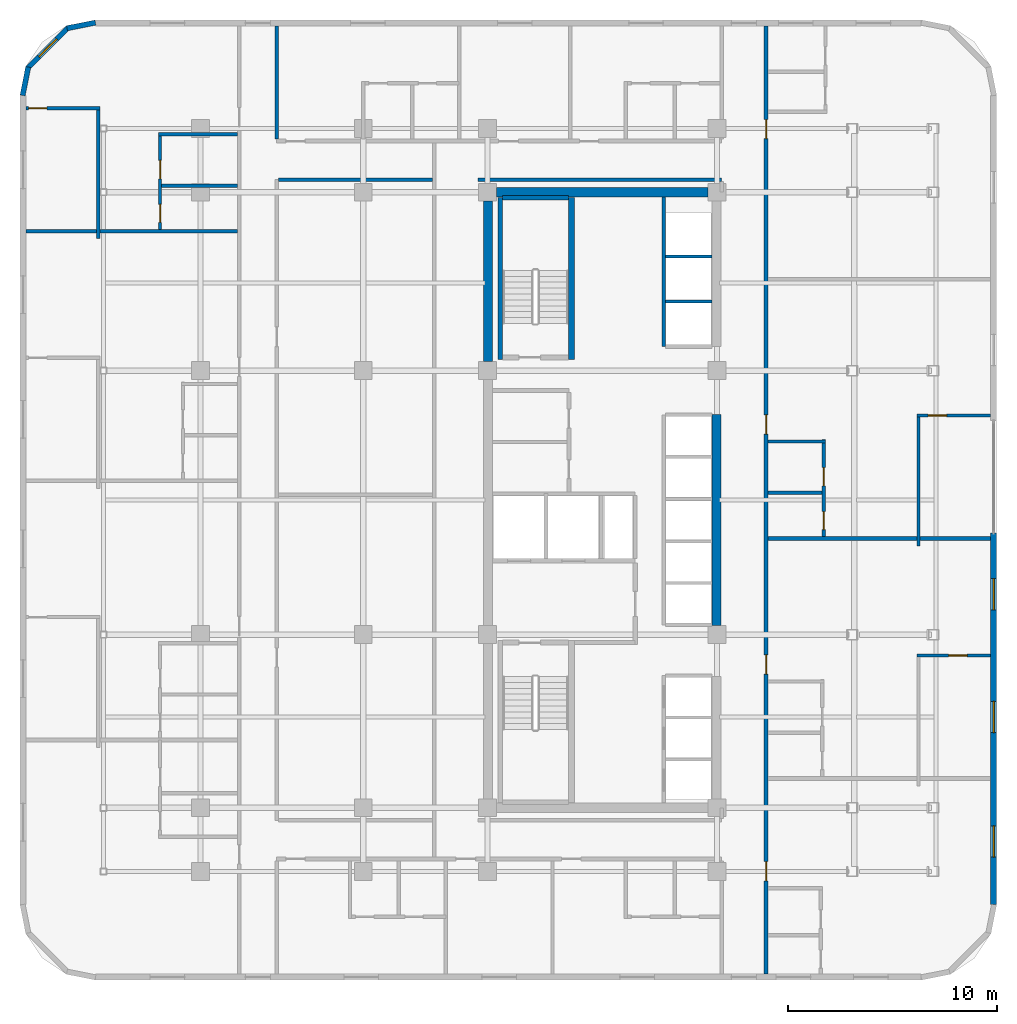
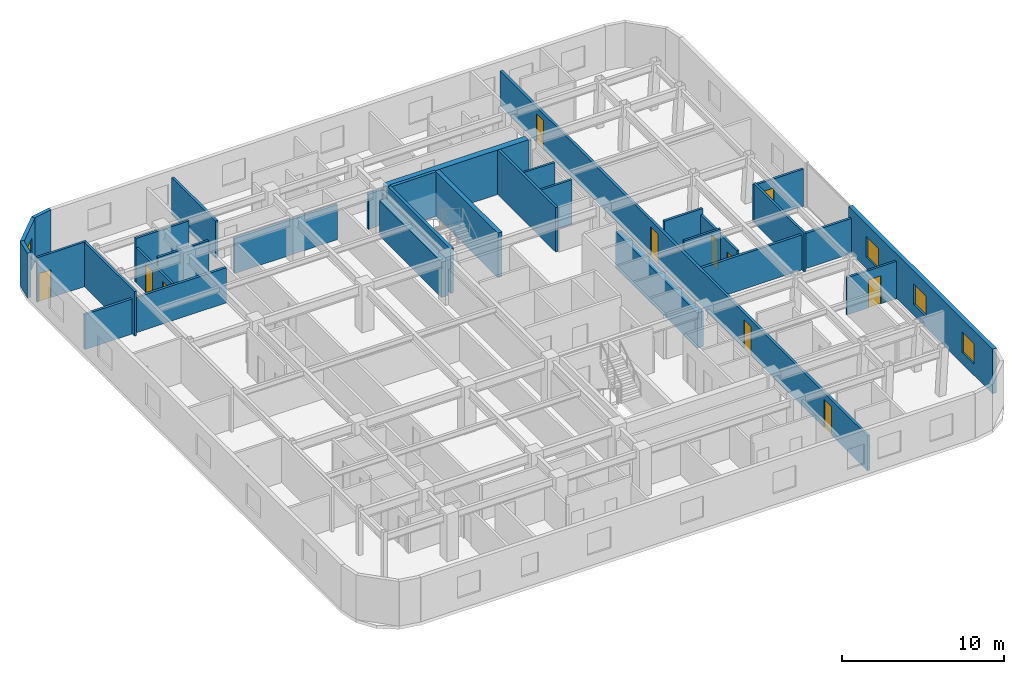
# One storey, part 10 of 13: 30 walls, 11 doors, 4 windows, 15 openings.
"""IFC4 building model written with IfcOpenShell, lengths in metres."""

from ifc_helpers import new_model, si_unit, direction, frame, frame_2d, origin, place, context, subcontext, project, spatial, rectangle, extrude, material, layer, layer_set, type_object, element, fill, save


model = new_model("IFC4")

# Units and contexts
model_context = context("Model", 3, precision=1e-05, world=origin(), true_north=direction((0.0, 1.0)))
body_context = subcontext(model_context, "Body", "Model", "MODEL_VIEW")
ifc_project = project(units=[si_unit("LENGTHUNIT", "METRE"), si_unit("AREAUNIT", "SQUARE_METRE"), si_unit("VOLUMEUNIT", "CUBIC_METRE"), si_unit("PLANEANGLEUNIT", "RADIAN"), si_unit("MASSUNIT", "GRAM", prefix="KILO")], contexts=[model_context])

# Site, building, storey
site_placement = place(None, origin())
site = spatial("IfcSite", under=ifc_project, at=site_placement, CompositionType="ELEMENT")
building_placement = place(site_placement, origin())
building = spatial("IfcBuilding", under=site, at=building_placement, Name="Ochreholt Gables", CompositionType="ELEMENT")
storey_placement = place(building_placement, frame((0.0, 0.0, 49.199951171875)))
storey = spatial("IfcBuildingStorey", under=building, at=storey_placement, Name="L12", CompositionType="ELEMENT", Elevation=49.199951171875)

# Walls
ifc_material_1 = material(Name="Concrete 60 MPa", Category="concrete")
ifc_layer_1 = layer(ifc_material_1, 0.449951171875, Name="Concrete 60 MPa")
ifc_layer_set_1 = layer_set([ifc_layer_1], Name="Concrete 60 MPa")
wall_type_1 = type_object("IfcWallType", Name="WALL-CSW-450", PredefinedType="SHEAR", material=ifc_layer_set_1)
wall_1_placement = place(storey_placement, frame((24.22509765625, 30.625, 0.0), z_axis=(0.0, 0.0, 1.0), x_axis=(0.0, 1.0, 0.0)))
element("IfcWall", 1, at=wall_1_placement, inside=storey, type_object=wall_type_1, Name="L12 Core West Shear Wall WN", PredefinedType="SHEAR", context=body_context, shape_type="SweptSolid", body=[
    extrude(rectangle(XDim=7.699951171875, YDim=0.449951171875, at=frame_2d((3.85009765625, 0.0))), origin(), (0.0, 0.0, 1.0), 2.6669921875),
])
wall_2_placement = place(storey_placement, frame((35.175048828125, 17.97509765625, 0.0), z_axis=(0.0, 0.0, 1.0), x_axis=(0.0, 1.0, 0.0)))
element("IfcWall", 2, at=wall_2_placement, inside=storey, type_object=wall_type_1, Name="L12 Core Central-East Shear Wall", PredefinedType="SHEAR", context=body_context, shape_type="SweptSolid", body=[
    extrude(rectangle(XDim=10.125, YDim=0.449951171875, at=frame_2d((5.0625, 0.0))), origin(), (0.0, 0.0, 1.0), 2.6669921875),
])
wall_3_placement = place(storey_placement, frame((24.625, 38.75, 0.0), z_axis=(0.0, 0.0, 1.0), x_axis=(1.0, 0.0, 0.0)))
element("IfcWall", 3, at=wall_3_placement, inside=storey, type_object=wall_type_1, Name="L12 Core North Shear Wall", PredefinedType="SHEAR", context=body_context, shape_type="SweptSolid", body=[
    extrude(rectangle(XDim=10.14990234375, YDim=0.449951171875, at=frame_2d((5.074951171875, 0.0))), origin(), (0.0, 0.0, 1.0), 3.360107421875),
])

# Wall, openings, windows
ifc_material_2 = material(Name="Precast concrete 40 MPa", Category="concrete")
ifc_layer_2 = layer(ifc_material_2, 0.2900390625, Name="Precast concrete 40 MPa")
ifc_layer_set_2 = layer_set([ifc_layer_2], Name="Precast concrete 40 MPa")
wall_type_2 = type_object("IfcWallType", Name="WALL-EXT-290", PredefinedType="SOLIDWALL", material=ifc_layer_set_2)
wall_4_placement = place(storey_placement, frame((48.455078125, 4.6201171875, 0.0), z_axis=(0.0, 0.0, 1.0), x_axis=(0.0, 1.0, 0.0)))
wall_4 = element("IfcWall", 4, at=wall_4_placement, inside=storey, type_object=wall_type_2, Name="L12 East Facade Wall 1", PredefinedType="SOLIDWALL", context=body_context, shape_type="SweptSolid", body=[
    extrude(rectangle(XDim=17.789794921875, YDim=0.2900390625, at=frame_2d((8.89501953125, 0.0))), origin(), (0.0, 0.0, 1.0), 3.360107421875),
])
opening_1_placement = place(wall_4_placement, frame((2.27001953125, 0.0, 0.85009765625)))
opening_1 = element("IfcOpeningElement", 5, at=opening_1_placement, cuts=wall_4, Name="Opening WN-2", PredefinedType="OPENING", context=body_context, shape_type="SweptSolid", body=[
    extrude(rectangle(XDim=1.5, YDim=1.550048828125, at=frame_2d((0.75, 0.77490234375))), frame((0.0, 0.155029296875, 0.0), z_axis=(0.0, -1.0, 0.0), x_axis=(1.0, 0.0, 0.0)), (0.0, 0.0, 1.0), 0.31005859375),
])
opening_2_placement = place(wall_4_placement, frame((8.235107421875, 0.0, 0.85009765625)))
opening_2 = element("IfcOpeningElement", 6, at=opening_2_placement, cuts=wall_4, Name="Opening WN-2", PredefinedType="OPENING", context=body_context, shape_type="SweptSolid", body=[
    extrude(rectangle(XDim=1.5, YDim=1.550048828125, at=frame_2d((0.75, 0.77490234375))), frame((0.0, 0.155029296875, 0.0), z_axis=(0.0, -1.0, 0.0), x_axis=(1.0, 0.0, 0.0)), (0.0, 0.0, 1.0), 0.31005859375),
])
opening_3_placement = place(wall_4_placement, frame((14.110107421875, 0.0, 0.85009765625)))
opening_3 = element("IfcOpeningElement", 7, at=opening_3_placement, cuts=wall_4, Name="Opening WN-2", PredefinedType="OPENING", context=body_context, shape_type="SweptSolid", body=[
    extrude(rectangle(XDim=1.5, YDim=1.550048828125, at=frame_2d((0.75, 0.77490234375))), frame((0.0, 0.155029296875, 0.0), z_axis=(0.0, -1.0, 0.0), x_axis=(1.0, 0.0, 0.0)), (0.0, 0.0, 1.0), 0.31005859375),
])
ifc_material_3 = material(Name="Triple-Glazed Thermally Broken Aluminium Window", Category="aluminium")
window_type_1 = type_object("IfcWindowType", Name="WIN-RES-1500", PartitioningType="SINGLE_PANEL", PredefinedType="WINDOW", material=ifc_material_3)
window_1_placement = place(opening_1_placement, origin())
window_1 = element("IfcWindow", 8, at=window_1_placement, inside=storey, type_object=window_type_1, Name="L12 Window W-EXT-E1-L12-1", OverallHeight=1.550048828125, OverallWidth=1.5, PartitioningType="SINGLE_PANEL", PredefinedType="WINDOW", context=body_context, shape_type="SweptSolid", body=[
    extrude(rectangle(XDim=1.5, YDim=1.550048828125, at=frame_2d((0.75, 0.77490234375))), frame((0.0, 0.030029296875, 0.0), z_axis=(0.0, -1.0, 0.0), x_axis=(1.0, 0.0, 0.0)), (0.0, 0.0, 1.0), 0.06005859375),
])
fill(opening_1, window_1)
window_2_placement = place(opening_2_placement, origin())
window_2 = element("IfcWindow", 9, at=window_2_placement, inside=storey, type_object=window_type_1, Name="L12 Window W-EXT-E1-L12-2", OverallHeight=1.550048828125, OverallWidth=1.5, PartitioningType="SINGLE_PANEL", PredefinedType="WINDOW", context=body_context, shape_type="SweptSolid", body=[
    extrude(rectangle(XDim=1.5, YDim=1.550048828125, at=frame_2d((0.75, 0.77490234375))), frame((0.0, 0.030029296875, 0.0), z_axis=(0.0, -1.0, 0.0), x_axis=(1.0, 0.0, 0.0)), (0.0, 0.0, 1.0), 0.06005859375),
])
fill(opening_2, window_2)
window_3_placement = place(opening_3_placement, origin())
window_3 = element("IfcWindow", 10, at=window_3_placement, inside=storey, type_object=window_type_1, Name="L12 Window W-EXT-E1-L12-3", OverallHeight=1.550048828125, OverallWidth=1.5, PartitioningType="SINGLE_PANEL", PredefinedType="WINDOW", context=body_context, shape_type="SweptSolid", body=[
    extrude(rectangle(XDim=1.5, YDim=1.550048828125, at=frame_2d((0.75, 0.77490234375))), frame((0.0, 0.030029296875, 0.0), z_axis=(0.0, -1.0, 0.0), x_axis=(1.0, 0.0, 0.0)), (0.0, 0.0, 1.0), 0.06005859375),
])
fill(opening_3, window_3)

# Wall
ifc_layer_3 = layer(ifc_material_2, 0.25, Name="Precast concrete 40 MPa")
ifc_layer_set_3 = layer_set([ifc_layer_3], Name="Precast concrete 40 MPa")
wall_type_3 = type_object("IfcWallType", Name="WALL-EXT-CNR", PredefinedType="SOLIDWALL", material=ifc_layer_set_3)
wall_5_placement = place(storey_placement, frame((5.41650390625, 46.875732421875, 0.0), z_axis=(0.0, 0.0, 1.0), x_axis=(-0.980809899341, -0.19496651342, 0.0)))
element("IfcWall", 11, at=wall_5_placement, inside=storey, type_object=wall_type_3, Name="L12 Rounded Corner Wall NW-1", PredefinedType="SOLIDWALL", context=body_context, shape_type="SweptSolid", body=[
    extrude(rectangle(XDim=1.388671875, YDim=0.25, at=frame_2d((0.6943359375, 0.0))), origin(), (0.0, 0.0, 1.0), 3.360107421875),
])

# Wall, opening, window
wall_6_placement = place(storey_placement, frame((4.10498046875, 46.632080078125, 0.0), z_axis=(0.0, 0.0, 1.0), x_axis=(-0.707106781187, -0.707106781187, 0.0)))
wall_6 = element("IfcWall", 12, at=wall_6_placement, inside=storey, type_object=wall_type_3, Name="L12 Rounded Corner Wall NW-2", PredefinedType="SOLIDWALL", context=body_context, shape_type="SweptSolid", body=[
    extrude(rectangle(XDim=2.7392578125, YDim=0.25, at=frame_2d((1.36962890625, 0.0))), origin(), (0.0, 0.0, 1.0), 3.360107421875),
])
opening_4_placement = place(wall_6_placement, frame((0.769775390625, 0.0, 0.85009765625)))
opening_4 = element("IfcOpeningElement", 13, at=opening_4_placement, cuts=wall_6, Name="Opening WN-3", PredefinedType="OPENING", context=body_context, shape_type="SweptSolid", body=[
    extrude(rectangle(XDim=1.199951171875, YDim=1.5, at=frame_2d((0.60009765625, 0.75))), frame((0.0, 0.135009765625, 0.0), z_axis=(0.0, -1.0, 0.0), x_axis=(1.0, 0.0, 0.0)), (0.0, 0.0, 1.0), 0.27001953125),
])
window_type_2 = type_object("IfcWindowType", Name="WIN-RES-1200", PartitioningType="SINGLE_PANEL", PredefinedType="WINDOW", material=ifc_material_3)
window_4_placement = place(opening_4_placement, origin())
window_4 = element("IfcWindow", 14, at=window_4_placement, inside=storey, type_object=window_type_2, Name="L12 Corner Bedroom Window NW", OverallHeight=1.5, OverallWidth=1.199951171875, PartitioningType="SINGLE_PANEL", PredefinedType="WINDOW", context=body_context, shape_type="SweptSolid", body=[
    extrude(rectangle(XDim=1.199951171875, YDim=1.5, at=frame_2d((0.60009765625, 0.75))), frame((0.0, 0.030029296875, 0.0), z_axis=(0.0, -1.0, 0.0), x_axis=(1.0, 0.0, 0.0)), (0.0, 0.0, 1.0), 0.06005859375),
])
fill(opening_4, window_4)

# Wall
wall_7_placement = place(storey_placement, frame((2.195068359375, 44.74560546875, 0.0), z_axis=(0.0, 0.0, 1.0), x_axis=(-0.19496651342, -0.980809899341, 0.0)))
element("IfcWall", 15, at=wall_7_placement, inside=storey, type_object=wall_type_3, Name="L12 Rounded Corner Wall NW-3", PredefinedType="SOLIDWALL", context=body_context, shape_type="SweptSolid", body=[
    extrude(rectangle(XDim=1.388671875, YDim=0.25, at=frame_2d((0.6943359375, 0.0))), origin(), (0.0, 0.0, 1.0), 3.360107421875),
])

# Wall, openings, doors
ifc_material_4 = material(Name="Fire-Rated Gypsum Acoustic Partition", Category="gypsum")
ifc_layer_4 = layer(ifc_material_4, 0.179931640625, Name="Fire-Rated Gypsum Acoustic Partition")
ifc_layer_set_4 = layer_set([ifc_layer_4], Name="Fire-Rated Gypsum Acoustic Partition")
wall_type_4 = type_object("IfcWallType", Name="WALL-INT-CR180", PredefinedType="STANDARD", material=ifc_layer_set_4)
wall_8_placement = place(storey_placement, frame((37.550048828125, 1.2900390625, 0.0), z_axis=(0.0, 0.0, 1.0), x_axis=(0.0, 1.0, 0.0)))
wall_8 = element("IfcWall", 16, at=wall_8_placement, inside=storey, type_object=wall_type_4, Name="L12 Interior Wall WI-C1E-L12", PredefinedType="STANDARD", context=body_context, shape_type="SweptSolid", body=[
    extrude(rectangle(XDim=45.419921875, YDim=0.179931640625, at=frame_2d((22.7099609375, 0.0))), origin(), (0.0, 0.0, 1.0), 2.649169921875),
])
opening_5_placement = place(wall_8_placement, frame((4.4599609375, 0.0, 0.0)))
opening_5 = element("IfcOpeningElement", 17, at=opening_5_placement, cuts=wall_8, Name="Opening D-UN1", PredefinedType="OPENING", context=body_context, shape_type="SweptSolid", body=[
    extrude(rectangle(XDim=0.919921875, YDim=2.14990234375, at=frame_2d((0.4599609375, 1.074951171875))), frame((0.0, 0.099853515625, 0.0), z_axis=(0.0, -1.0, 0.0), x_axis=(1.0, 0.0, 0.0)), (0.0, 0.0, 1.0), 0.199951171875),
])
opening_6_placement = place(wall_8_placement, frame((14.3701171875, 0.0, 0.0)))
opening_6 = element("IfcOpeningElement", 18, at=opening_6_placement, cuts=wall_8, Name="Opening D-UN1", PredefinedType="OPENING", context=body_context, shape_type="SweptSolid", body=[
    extrude(rectangle(XDim=0.919921875, YDim=2.14990234375, at=frame_2d((0.4599609375, 1.074951171875))), frame((0.0, 0.099853515625, 0.0), z_axis=(0.0, -1.0, 0.0), x_axis=(1.0, 0.0, 0.0)), (0.0, 0.0, 1.0), 0.199951171875),
])
opening_7_placement = place(wall_8_placement, frame((25.8701171875, 0.0, 0.0)))
opening_7 = element("IfcOpeningElement", 19, at=opening_7_placement, cuts=wall_8, Name="Opening D-UN1", PredefinedType="OPENING", context=body_context, shape_type="SweptSolid", body=[
    extrude(rectangle(XDim=0.919921875, YDim=2.14990234375, at=frame_2d((0.4599609375, 1.074951171875))), frame((0.0, 0.099853515625, 0.0), z_axis=(0.0, -1.0, 0.0), x_axis=(1.0, 0.0, 0.0)), (0.0, 0.0, 1.0), 0.199951171875),
])
opening_8_placement = place(wall_8_placement, frame((40.02001953125, 0.0, 0.0)))
opening_8 = element("IfcOpeningElement", 20, at=opening_8_placement, cuts=wall_8, Name="Opening D-UN1", PredefinedType="OPENING", context=body_context, shape_type="SweptSolid", body=[
    extrude(rectangle(XDim=0.919921875, YDim=2.14990234375, at=frame_2d((0.4599609375, 1.074951171875))), frame((0.0, 0.099853515625, 0.0), z_axis=(0.0, -1.0, 0.0), x_axis=(1.0, 0.0, 0.0)), (0.0, 0.0, 1.0), 0.199951171875),
])
ifc_material_5 = material(Name="Engineered Oak Timber", Category="wood")
door_type_1 = type_object("IfcDoorType", Name="DR-INT-UNT920", OperationType="NOTDEFINED", PredefinedType="DOOR", material=ifc_material_5)
door_1_placement = place(opening_5_placement, origin())
door_1 = element("IfcDoor", 21, at=door_1_placement, inside=storey, type_object=door_type_1, Name="L12 Door D-U-L12E1-ENT", OperationType="SINGLE_SWING_RIGHT", OverallHeight=2.14990234375, OverallWidth=0.919921875, PredefinedType="DOOR", context=body_context, shape_type="SweptSolid", body=[
    extrude(rectangle(XDim=0.919921875, YDim=2.14990234375, at=frame_2d((0.4599609375, 1.074951171875))), frame((0.0, 0.02490234375, 0.0), z_axis=(0.0, -1.0, 0.0), x_axis=(1.0, 0.0, 0.0)), (0.0, 0.0, 1.0), 0.050048828125),
])
fill(opening_5, door_1)
door_2_placement = place(opening_6_placement, origin())
door_2 = element("IfcDoor", 22, at=door_2_placement, inside=storey, type_object=door_type_1, Name="L12 Door D-U-L12E2-ENT", OperationType="SINGLE_SWING_LEFT", OverallHeight=2.14990234375, OverallWidth=0.919921875, PredefinedType="DOOR", context=body_context, shape_type="SweptSolid", body=[
    extrude(rectangle(XDim=0.919921875, YDim=2.14990234375, at=frame_2d((0.4599609375, 1.074951171875))), frame((0.0, 0.02490234375, 0.0), z_axis=(0.0, -1.0, 0.0), x_axis=(1.0, 0.0, 0.0)), (0.0, 0.0, 1.0), 0.050048828125),
])
fill(opening_6, door_2)
door_3_placement = place(opening_7_placement, origin())
door_3 = element("IfcDoor", 23, at=door_3_placement, inside=storey, type_object=door_type_1, Name="L12 Door D-U-L12E3-ENT", OperationType="SINGLE_SWING_RIGHT", OverallHeight=2.14990234375, OverallWidth=0.919921875, PredefinedType="DOOR", context=body_context, shape_type="SweptSolid", body=[
    extrude(rectangle(XDim=0.919921875, YDim=2.14990234375, at=frame_2d((0.4599609375, 1.074951171875))), frame((0.0, 0.02490234375, 0.0), z_axis=(0.0, -1.0, 0.0), x_axis=(1.0, 0.0, 0.0)), (0.0, 0.0, 1.0), 0.050048828125),
])
fill(opening_7, door_3)
door_4_placement = place(opening_8_placement, origin())
door_4 = element("IfcDoor", 24, at=door_4_placement, inside=storey, type_object=door_type_1, Name="L12 Door D-U-L12E4-ENT", OperationType="SINGLE_SWING_LEFT", OverallHeight=2.14990234375, OverallWidth=0.919921875, PredefinedType="DOOR", context=body_context, shape_type="SweptSolid", body=[
    extrude(rectangle(XDim=0.919921875, YDim=2.14990234375, at=frame_2d((0.4599609375, 1.074951171875))), frame((0.0, 0.02490234375, 0.0), z_axis=(0.0, -1.0, 0.0), x_axis=(1.0, 0.0, 0.0)), (0.0, 0.0, 1.0), 0.050048828125),
])
fill(opening_8, door_4)

# Walls
wall_9_placement = place(storey_placement, frame((23.75, 39.35009765625, 0.0), z_axis=(0.0, 0.0, 1.0), x_axis=(1.0, 0.0, 0.0)))
element("IfcWall", 25, at=wall_9_placement, inside=storey, type_object=wall_type_4, Name="L12 Interior Wall WI-C1N2-L12", PredefinedType="STANDARD", context=body_context, shape_type="SweptSolid", body=[
    extrude(rectangle(XDim=11.669921875, YDim=0.179931640625, at=frame_2d((5.8349609375, 0.0))), origin(), (0.0, 0.0, 1.0), 2.649169921875),
])
wall_10_placement = place(storey_placement, frame((14.18994140625, 39.35009765625, 0.0), z_axis=(0.0, 0.0, 1.0), x_axis=(1.0, 0.0, 0.0)))
element("IfcWall", 26, at=wall_10_placement, inside=storey, type_object=wall_type_4, Name="L12 Interior Wall WI-C1N2W-L12", PredefinedType="STANDARD", context=body_context, shape_type="SweptSolid", body=[
    extrude(rectangle(XDim=7.3701171875, YDim=0.179931640625, at=frame_2d((3.68505859375, 0.0))), origin(), (0.0, 0.0, 1.0), 2.649169921875),
])
ifc_material_6 = material(Name="Double-Stud Acoustic Demising Wall", Category="gypsum")
ifc_layer_5 = layer(ifc_material_6, 0.179931640625, Name="Double-Stud Acoustic Demising Wall")
ifc_layer_set_5 = layer_set([ifc_layer_5], Name="Double-Stud Acoustic Demising Wall")
wall_type_5 = type_object("IfcWallType", Name="WALL-INT-DM180", PredefinedType="PARTITIONING", material=ifc_layer_set_5)
wall_11_placement = place(storey_placement, frame((14.10009765625, 41.2900390625, 0.0), z_axis=(0.0, 0.0, 1.0), x_axis=(0.0, 1.0, 0.0)))
element("IfcWall", 27, at=wall_11_placement, inside=storey, type_object=wall_type_5, Name="L12 Interior Wall WI-C1WNI-L12", PredefinedType="PARTITIONING", context=body_context, shape_type="SweptSolid", body=[
    extrude(rectangle(XDim=5.419921875, YDim=0.179931640625, at=frame_2d((2.7099609375, 0.0))), origin(), (0.0, 0.0, 1.0), 2.80908203125),
])
wall_12_placement = place(storey_placement, frame((37.639892578125, 22.159912109375, 0.0), z_axis=(0.0, 0.0, 1.0), x_axis=(1.0, 0.0, 0.0)))
element("IfcWall", 28, at=wall_12_placement, inside=storey, type_object=wall_type_5, Name="L12 Interior Wall WI-UDE3-L12", PredefinedType="PARTITIONING", context=body_context, shape_type="SweptSolid", body=[
    extrude(rectangle(XDim=10.670166015625, YDim=0.179931640625, at=frame_2d((5.3349609375, 0.0))), origin(), (0.0, 0.0, 1.0), 2.649169921875),
])
wall_13_placement = place(storey_placement, frame((2.090087890625, 36.8798828125, 0.0), z_axis=(0.0, 0.0, 1.0), x_axis=(1.0, 0.0, 0.0)))
element("IfcWall", 29, at=wall_13_placement, inside=storey, type_object=wall_type_5, Name="L12 Interior Wall WI-UDW4-L12", PredefinedType="PARTITIONING", context=body_context, shape_type="SweptSolid", body=[
    extrude(rectangle(XDim=10.119873046875, YDim=0.179931640625, at=frame_2d((5.06005859375, 0.0))), origin(), (0.0, 0.0, 1.0), 2.649169921875),
])
ifc_material_7 = material(Name="Moisture-Resistant Plumbing Chase Wall", Category="gypsum")
ifc_layer_6 = layer(ifc_material_7, 0.159912109375, Name="Moisture-Resistant Plumbing Chase Wall")
ifc_layer_set_6 = layer_set([ifc_layer_6], Name="Moisture-Resistant Plumbing Chase Wall")
wall_type_6 = type_object("IfcWallType", Name="WALL-INT-PL160", PredefinedType="PLUMBINGWALL", material=ifc_layer_set_6)
wall_14_placement = place(storey_placement, frame((37.639892578125, 26.800048828125, 0.0), z_axis=(0.0, 0.0, 1.0), x_axis=(1.0, 0.0, 0.0)))
element("IfcWall", 30, at=wall_14_placement, inside=storey, type_object=wall_type_6, Name="L12 Interior Wall WU-L12E3-WYN", PredefinedType="PLUMBINGWALL", context=body_context, shape_type="SweptSolid", body=[
    extrude(rectangle(XDim=2.758056640625, YDim=0.159912109375, at=frame_2d((1.37890625, 0.0))), origin(), (0.0, 0.0, 1.0), 3.360107421875),
])

# Wall, openings, doors
wall_15_placement = place(storey_placement, frame((40.318115234375, 22.25, 0.0), z_axis=(0.0, 0.0, 1.0), x_axis=(0.0, 1.0, 0.0)))
wall_15 = element("IfcWall", 31, at=wall_15_placement, inside=storey, type_object=wall_type_6, Name="L12 Interior Wall WU-L12E3-WX", PredefinedType="PLUMBINGWALL", context=body_context, shape_type="SweptSolid", body=[
    extrude(rectangle(XDim=4.639892578125, YDim=0.159912109375, at=frame_2d((2.31982421875, 0.0))), origin(), (0.0, 0.0, 1.0), 2.93212890625),
])
opening_9_placement = place(wall_15_placement, frame((0.330078125, 0.0, 0.0)))
opening_9 = element("IfcOpeningElement", 32, at=opening_9_placement, cuts=wall_15, Name="Opening D-BT1", PredefinedType="OPENING", context=body_context, shape_type="SweptSolid", body=[
    extrude(rectangle(XDim=0.860107421875, YDim=2.1201171875, at=frame_2d((0.43017578125, 1.06005859375))), frame((0.0, 0.08984375, 0.0), z_axis=(0.0, -1.0, 0.0), x_axis=(1.0, 0.0, 0.0)), (0.0, 0.0, 1.0), 0.179931640625),
])
opening_10_placement = place(wall_15_placement, frame((2.423095703125, 0.0, 0.0)))
opening_10 = element("IfcOpeningElement", 33, at=opening_10_placement, cuts=wall_15, Name="Opening D-GN2", PredefinedType="OPENING", context=body_context, shape_type="SweptSolid", body=[
    extrude(rectangle(XDim=0.8798828125, YDim=2.1201171875, at=frame_2d((0.43994140625, 1.06005859375))), frame((0.0, 0.08984375, 0.0), z_axis=(0.0, -1.0, 0.0), x_axis=(1.0, 0.0, 0.0)), (0.0, 0.0, 1.0), 0.179931640625),
])
door_type_2 = type_object("IfcDoorType", Name="DR-INT-BTH860", OperationType="NOTDEFINED", PredefinedType="DOOR", material=ifc_material_5)
door_5_placement = place(opening_9_placement, origin())
door_5 = element("IfcDoor", 34, at=door_5_placement, inside=storey, type_object=door_type_2, Name="L12 Door D-U-L12E3-BTH", OperationType="SINGLE_SWING_LEFT", OverallHeight=2.1201171875, OverallWidth=0.860107421875, PredefinedType="DOOR", context=body_context, shape_type="SweptSolid", body=[
    extrude(rectangle(XDim=0.860107421875, YDim=2.1201171875, at=frame_2d((0.43017578125, 1.06005859375))), frame((0.0, 0.02490234375, 0.0), z_axis=(0.0, -1.0, 0.0), x_axis=(1.0, 0.0, 0.0)), (0.0, 0.0, 1.0), 0.050048828125),
])
fill(opening_9, door_5)
door_type_3 = type_object("IfcDoorType", Name="DR-INT-GEN880", OperationType="NOTDEFINED", PredefinedType="DOOR", material=ifc_material_5)
door_6_placement = place(opening_10_placement, origin())
door_6 = element("IfcDoor", 35, at=door_6_placement, inside=storey, type_object=door_type_3, Name="L12 Door D-U-L12E3-KIT", OperationType="SINGLE_SWING_RIGHT", OverallHeight=2.1201171875, OverallWidth=0.8798828125, PredefinedType="DOOR", context=body_context, shape_type="SweptSolid", body=[
    extrude(rectangle(XDim=0.8798828125, YDim=2.1201171875, at=frame_2d((0.43994140625, 1.06005859375))), frame((0.0, 0.02490234375, 0.0), z_axis=(0.0, -1.0, 0.0), x_axis=(1.0, 0.0, 0.0)), (0.0, 0.0, 1.0), 0.050048828125),
])
fill(opening_10, door_6)

# Walls
wall_16_placement = place(storey_placement, frame((37.639892578125, 24.343017578125, 0.0), z_axis=(0.0, 0.0, 1.0), x_axis=(1.0, 0.0, 0.0)))
element("IfcWall", 36, at=wall_16_placement, inside=storey, type_object=wall_type_6, Name="L12 Interior Wall WU-L12E3-WM", PredefinedType="PLUMBINGWALL", context=body_context, shape_type="SweptSolid", body=[
    extrude(rectangle(XDim=2.59814453125, YDim=0.159912109375, at=frame_2d((1.299072265625, 0.0))), origin(), (0.0, 0.0, 1.0), 3.360107421875),
])
wall_17_placement = place(storey_placement, frame((8.429931640625, 41.52001953125, 0.0), z_axis=(0.0, 0.0, 1.0), x_axis=(1.0, 0.0, 0.0)))
element("IfcWall", 37, at=wall_17_placement, inside=storey, type_object=wall_type_6, Name="L12 Interior Wall WU-L12W4-WYN", PredefinedType="PLUMBINGWALL", context=body_context, shape_type="SweptSolid", body=[
    extrude(rectangle(XDim=3.780029296875, YDim=0.159912109375, at=frame_2d((1.89013671875, 0.0))), origin(), (0.0, 0.0, 1.0), 3.360107421875),
])

# Wall, openings, doors
wall_18_placement = place(storey_placement, frame((8.510009765625, 36.969970703125, 0.0), z_axis=(0.0, 0.0, 1.0), x_axis=(0.0, 1.0, 0.0)))
wall_18 = element("IfcWall", 38, at=wall_18_placement, inside=storey, type_object=wall_type_6, Name="L12 Interior Wall WU-L12W4-WX", PredefinedType="PLUMBINGWALL", context=body_context, shape_type="SweptSolid", body=[
    extrude(rectangle(XDim=4.64013671875, YDim=0.159912109375, at=frame_2d((2.320068359375, 0.0))), origin(), (0.0, 0.0, 1.0), 2.649169921875),
])
opening_11_placement = place(wall_18_placement, frame((0.330078125, 0.0, 0.0)))
opening_11 = element("IfcOpeningElement", 39, at=opening_11_placement, cuts=wall_18, Name="Opening D-BT1", PredefinedType="OPENING", context=body_context, shape_type="SweptSolid", body=[
    extrude(rectangle(XDim=0.860107421875, YDim=2.1201171875, at=frame_2d((0.43017578125, 1.06005859375))), frame((0.0, 0.08984375, 0.0), z_axis=(0.0, -1.0, 0.0), x_axis=(1.0, 0.0, 0.0)), (0.0, 0.0, 1.0), 0.179931640625),
])
opening_12_placement = place(wall_18_placement, frame((2.423095703125, 0.0, 0.0)))
opening_12 = element("IfcOpeningElement", 40, at=opening_12_placement, cuts=wall_18, Name="Opening D-GN2", PredefinedType="OPENING", context=body_context, shape_type="SweptSolid", body=[
    extrude(rectangle(XDim=0.8798828125, YDim=2.1201171875, at=frame_2d((0.43994140625, 1.06005859375))), frame((0.0, 0.08984375, 0.0), z_axis=(0.0, -1.0, 0.0), x_axis=(1.0, 0.0, 0.0)), (0.0, 0.0, 1.0), 0.179931640625),
])
door_7_placement = place(opening_11_placement, origin())
door_7 = element("IfcDoor", 41, at=door_7_placement, inside=storey, type_object=door_type_2, Name="L12 Door D-U-L12W4-BTH", OperationType="SINGLE_SWING_RIGHT", OverallHeight=2.1201171875, OverallWidth=0.860107421875, PredefinedType="DOOR", context=body_context, shape_type="SweptSolid", body=[
    extrude(rectangle(XDim=0.860107421875, YDim=2.1201171875, at=frame_2d((0.43017578125, 1.06005859375))), frame((0.0, 0.02490234375, 0.0), z_axis=(0.0, -1.0, 0.0), x_axis=(1.0, 0.0, 0.0)), (0.0, 0.0, 1.0), 0.050048828125),
])
fill(opening_11, door_7)
door_8_placement = place(opening_12_placement, origin())
door_8 = element("IfcDoor", 42, at=door_8_placement, inside=storey, type_object=door_type_3, Name="L12 Door D-U-L12W4-KIT", OperationType="SINGLE_SWING_LEFT", OverallHeight=2.1201171875, OverallWidth=0.8798828125, PredefinedType="DOOR", context=body_context, shape_type="SweptSolid", body=[
    extrude(rectangle(XDim=0.8798828125, YDim=2.1201171875, at=frame_2d((0.43994140625, 1.06005859375))), frame((0.0, 0.02490234375, 0.0), z_axis=(0.0, -1.0, 0.0), x_axis=(1.0, 0.0, 0.0)), (0.0, 0.0, 1.0), 0.050048828125),
])
fill(opening_12, door_8)

# Wall
wall_19_placement = place(storey_placement, frame((8.590087890625, 39.06298828125, 0.0), z_axis=(0.0, 0.0, 1.0), x_axis=(1.0, 0.0, 0.0)))
element("IfcWall", 43, at=wall_19_placement, inside=storey, type_object=wall_type_6, Name="L12 Interior Wall WU-L12W4-WM", PredefinedType="PLUMBINGWALL", context=body_context, shape_type="SweptSolid", body=[
    extrude(rectangle(XDim=3.619873046875, YDim=0.159912109375, at=frame_2d((1.81005859375, 0.0))), origin(), (0.0, 0.0, 1.0), 3.360107421875),
])

# Wall, opening, door
ifc_material_8 = material(Name="Gypsum Acoustic Stud Partition", Category="gypsum")
ifc_layer_7 = layer(ifc_material_8, 0.159912109375, Name="Gypsum Acoustic Stud Partition")
ifc_layer_set_7 = layer_set([ifc_layer_7], Name="Gypsum Acoustic Stud Partition")
wall_type_7 = type_object("IfcWallType", Name="WALL-INT-PT160", PredefinedType="PARTITIONING", material=ifc_layer_set_7)
wall_20_placement = place(storey_placement, frame((44.77001953125, 16.550048828125, 0.0), z_axis=(0.0, 0.0, 1.0), x_axis=(1.0, 0.0, 0.0)))
wall_20 = element("IfcWall", 44, at=wall_20_placement, inside=storey, type_object=wall_type_7, Name="L12 Interior Wall WU-L12E2-STN", PredefinedType="PARTITIONING", context=body_context, shape_type="SweptSolid", body=[
    extrude(rectangle(XDim=3.5400390625, YDim=0.159912109375, at=frame_2d((1.77001953125, 0.0))), origin(), (0.0, 0.0, 1.0), 2.80908203125),
])
opening_13_placement = place(wall_20_placement, frame((1.530029296875, 0.0, 0.0)))
opening_13 = element("IfcOpeningElement", 45, at=opening_13_placement, cuts=wall_20, Name="Opening D-GN2", PredefinedType="OPENING", context=body_context, shape_type="SweptSolid", body=[
    extrude(rectangle(XDim=0.8798828125, YDim=2.1201171875, at=frame_2d((0.43994140625, 1.06005859375))), frame((0.0, 0.08984375, 0.0), z_axis=(0.0, -1.0, 0.0), x_axis=(1.0, 0.0, 0.0)), (0.0, 0.0, 1.0), 0.179931640625),
])
door_9_placement = place(opening_13_placement, origin())
door_9 = element("IfcDoor", 46, at=door_9_placement, inside=storey, type_object=door_type_3, Name="L12 Door D-U-L12E2-STD", OperationType="SINGLE_SWING_RIGHT", OverallHeight=2.1201171875, OverallWidth=0.8798828125, PredefinedType="DOOR", context=body_context, shape_type="SweptSolid", body=[
    extrude(rectangle(XDim=0.8798828125, YDim=2.1201171875, at=frame_2d((0.43994140625, 1.06005859375))), frame((0.0, 0.02490234375, 0.0), z_axis=(0.0, -1.0, 0.0), x_axis=(1.0, 0.0, 0.0)), (0.0, 0.0, 1.0), 0.050048828125),
])
fill(opening_13, door_9)

# Wall
wall_21_placement = place(storey_placement, frame((44.85009765625, 21.800048828125, 0.0), z_axis=(0.0, 0.0, 1.0), x_axis=(0.0, 1.0, 0.0)))
element("IfcWall", 47, at=wall_21_placement, inside=storey, type_object=wall_type_7, Name="L12 Interior Wall WU-L12E3-STW", PredefinedType="PARTITIONING", context=body_context, shape_type="SweptSolid", body=[
    extrude(rectangle(XDim=6.25, YDim=0.159912109375, at=frame_2d((3.125, 0.0))), origin(), (0.0, 0.0, 1.0), 2.93212890625),
])

# Wall, opening, door
wall_22_placement = place(storey_placement, frame((44.77001953125, 28.050048828125, 0.0), z_axis=(0.0, 0.0, 1.0), x_axis=(1.0, 0.0, 0.0)))
wall_22 = element("IfcWall", 48, at=wall_22_placement, inside=storey, type_object=wall_type_7, Name="L12 Interior Wall WU-L12E3-STN", PredefinedType="PARTITIONING", context=body_context, shape_type="SweptSolid", body=[
    extrude(rectangle(XDim=3.5400390625, YDim=0.159912109375, at=frame_2d((1.77001953125, 0.0))), origin(), (0.0, 0.0, 1.0), 2.80908203125),
])
opening_14_placement = place(wall_22_placement, frame((0.550048828125, 0.0, 0.0)))
opening_14 = element("IfcOpeningElement", 49, at=opening_14_placement, cuts=wall_22, Name="Opening D-GN2", PredefinedType="OPENING", context=body_context, shape_type="SweptSolid", body=[
    extrude(rectangle(XDim=0.8798828125, YDim=2.1201171875, at=frame_2d((0.43994140625, 1.06005859375))), frame((0.0, 0.08984375, 0.0), z_axis=(0.0, -1.0, 0.0), x_axis=(1.0, 0.0, 0.0)), (0.0, 0.0, 1.0), 0.179931640625),
])
door_10_placement = place(opening_14_placement, origin())
door_10 = element("IfcDoor", 50, at=door_10_placement, inside=storey, type_object=door_type_3, Name="L12 Door D-U-L12E3-STD", OperationType="SINGLE_SWING_LEFT", OverallHeight=2.1201171875, OverallWidth=0.8798828125, PredefinedType="DOOR", context=body_context, shape_type="SweptSolid", body=[
    extrude(rectangle(XDim=0.8798828125, YDim=2.1201171875, at=frame_2d((0.43994140625, 1.06005859375))), frame((0.0, 0.02490234375, 0.0), z_axis=(0.0, -1.0, 0.0), x_axis=(1.0, 0.0, 0.0)), (0.0, 0.0, 1.0), 0.050048828125),
])
fill(opening_14, door_10)

# Wall
wall_23_placement = place(storey_placement, frame((5.550048828125, 36.52001953125, 0.0), z_axis=(0.0, 0.0, 1.0), x_axis=(0.0, 1.0, 0.0)))
element("IfcWall", 51, at=wall_23_placement, inside=storey, type_object=wall_type_7, Name="L12 Interior Wall WU-L12W4-STW", PredefinedType="PARTITIONING", context=body_context, shape_type="SweptSolid", body=[
    extrude(rectangle(XDim=6.25, YDim=0.159912109375, at=frame_2d((3.125, 0.0))), origin(), (0.0, 0.0, 1.0), 3.360107421875),
])

# Wall, opening, door
wall_24_placement = place(storey_placement, frame((2.090087890625, 42.77001953125, 0.0), z_axis=(0.0, 0.0, 1.0), x_axis=(1.0, 0.0, 0.0)))
wall_24 = element("IfcWall", 52, at=wall_24_placement, inside=storey, type_object=wall_type_7, Name="L12 Interior Wall WU-L12W4-STN", PredefinedType="PARTITIONING", context=body_context, shape_type="SweptSolid", body=[
    extrude(rectangle(XDim=3.539794921875, YDim=0.159912109375, at=frame_2d((1.77001953125, 0.0))), origin(), (0.0, 0.0, 1.0), 3.360107421875),
])
opening_15_placement = place(wall_24_placement, frame((0.1201171875, 0.0, 0.0)))
opening_15 = element("IfcOpeningElement", 53, at=opening_15_placement, cuts=wall_24, Name="Opening D-GN2", PredefinedType="OPENING", context=body_context, shape_type="SweptSolid", body=[
    extrude(rectangle(XDim=0.8798828125, YDim=2.1201171875, at=frame_2d((0.43994140625, 1.06005859375))), frame((0.0, 0.08984375, 0.0), z_axis=(0.0, -1.0, 0.0), x_axis=(1.0, 0.0, 0.0)), (0.0, 0.0, 1.0), 0.179931640625),
])
door_11_placement = place(opening_15_placement, origin())
door_11 = element("IfcDoor", 54, at=door_11_placement, inside=storey, type_object=door_type_3, Name="L12 Door D-U-L12W4-STD", OperationType="SINGLE_SWING_RIGHT", OverallHeight=2.1201171875, OverallWidth=0.8798828125, PredefinedType="DOOR", context=body_context, shape_type="SweptSolid", body=[
    extrude(rectangle(XDim=0.8798828125, YDim=2.1201171875, at=frame_2d((0.43994140625, 1.06005859375))), frame((0.0, 0.02490234375, 0.0), z_axis=(0.0, -1.0, 0.0), x_axis=(1.0, 0.0, 0.0)), (0.0, 0.0, 1.0), 0.050048828125),
])
fill(opening_15, door_11)

# Walls
ifc_material_9 = material(Name="Gypsum Shaftliner and Steel Stud", Category="steel")
ifc_layer_8 = layer(ifc_material_9, 0.14990234375, Name="Gypsum Shaftliner and Steel Stud")
ifc_layer_set_8 = layer_set([ifc_layer_8], Name="Gypsum Shaftliner and Steel Stud")
wall_type_8 = type_object("IfcWallType", Name="WALL-INT-SH150", PredefinedType="STANDARD", material=ifc_layer_set_8)
for number, where, z_axis, x_axis, name in (
    (55, (32.739990234375, 33.52001953125, 0.0), (0.0, 0.0, 1.0), (1.0, 0.0, 0.0), "L12 Interior Wall WI-LFM-D1-L12"),
    (56, (32.739990234375, 35.669921875, 0.0), (0.0, 0.0, 1.0), (1.0, 0.0, 0.0), "L12 Interior Wall WI-LFM-D2-L12"),
):
    element("IfcWall", number, at=place(storey_placement, frame(where, z_axis=z_axis, x_axis=x_axis)), inside=storey, type_object=wall_type_8, Name=name, PredefinedType="STANDARD", context=body_context, shape_type="SweptSolid", body=[
        extrude(rectangle(XDim=2.2099609375, YDim=0.14990234375, at=frame_2d((1.10498046875, 0.0))), origin(), (0.0, 0.0, 1.0), 3.360107421875),
    ])
ifc_layer_9 = layer(ifc_material_9, 0.179931640625, Name="Gypsum Shaftliner and Steel Stud")
ifc_layer_set_9 = layer_set([ifc_layer_9], Name="Gypsum Shaftliner and Steel Stud")
wall_type_9 = type_object("IfcWallType", Name="WALL-INT-SH180", PredefinedType="STANDARD", material=ifc_layer_set_9)
wall_25_placement = place(storey_placement, frame((32.64990234375, 31.35009765625, 0.0), z_axis=(0.0, 0.0, 1.0), x_axis=(0.0, 1.0, 0.0)))
element("IfcWall", 57, at=wall_25_placement, inside=storey, type_object=wall_type_9, Name="L12 Interior Wall WI-LFM-FR-L12", PredefinedType="STANDARD", context=body_context, shape_type="SweptSolid", body=[
    extrude(rectangle(XDim=7.1748046875, YDim=0.179931640625, at=frame_2d((3.58740234375, 0.0))), origin(), (0.0, 0.0, 1.0), 3.360107421875),
])
ifc_layer_10 = layer(ifc_material_1, 0.300048828125, Name="Concrete 60 MPa")
ifc_layer_set_10 = layer_set([ifc_layer_10], Name="Concrete 60 MPa")
wall_type_10 = type_object("IfcWallType", Name="WALL-SPN-300", PredefinedType="SHEAR", material=ifc_layer_set_10)
wall_26_placement = place(storey_placement, frame((28.22998046875, 30.739990234375, 0.0), z_axis=(0.0, 0.0, 1.0), x_axis=(0.0, 1.0, 0.0)))
element("IfcWall", 58, at=wall_26_placement, inside=storey, type_object=wall_type_10, Name="L12 Core North Spine Shear Wall", PredefinedType="SHEAR", context=body_context, shape_type="SweptSolid", body=[
    extrude(rectangle(XDim=7.760009765625, YDim=0.300048828125, at=frame_2d((3.8798828125, 0.0))), origin(), (0.0, 0.0, 1.0), 3.360107421875),
])
ifc_material_10 = material(Name="Concrete 50 MPa", Category="concrete")
ifc_layer_11 = layer(ifc_material_10, 0.219970703125, Name="Concrete 50 MPa")
ifc_layer_set_11 = layer_set([ifc_layer_11], Name="Concrete 50 MPa")
wall_type_11 = type_object("IfcWallType", Name="WALL-STW-220", PredefinedType="SHEAR", material=ifc_layer_set_11)
wall_27_placement = place(storey_placement, frame((24.81005859375, 30.739990234375, 0.0), z_axis=(0.0, 0.0, 1.0), x_axis=(0.0, 1.0, 0.0)))
element("IfcWall", 59, at=wall_27_placement, inside=storey, type_object=wall_type_11, Name="L12 Exit Stair 2 West Wall", PredefinedType="SHEAR", context=body_context, shape_type="SweptSolid", body=[
    extrude(rectangle(XDim=7.760009765625, YDim=0.219970703125, at=frame_2d((3.8798828125, 0.0))), origin(), (0.0, 0.0, 1.0), 3.360107421875),
])
wall_28_placement = place(storey_placement, frame((24.919921875, 38.489990234375, 0.0), z_axis=(0.0, 0.0, 1.0), x_axis=(1.0, 0.0, 0.0)))
element("IfcWall", 60, at=wall_28_placement, inside=storey, type_object=wall_type_11, Name="L12 Exit Stair 2 North Wall", PredefinedType="SHEAR", context=body_context, shape_type="SweptSolid", body=[
    extrude(rectangle(XDim=3.16015625, YDim=0.219970703125, at=frame_2d((1.580078125, 0.0))), origin(), (0.0, 0.0, 1.0), 3.360107421875),
])

save(model, "model.ifc")
